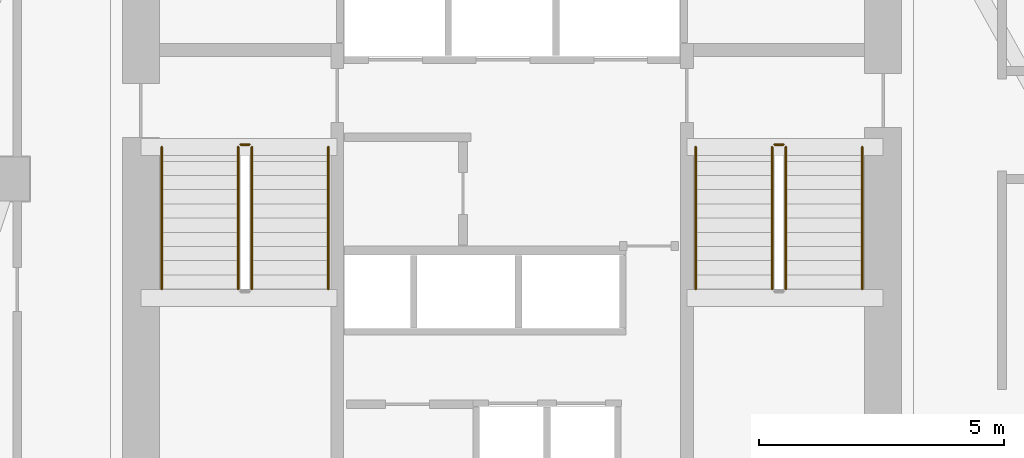
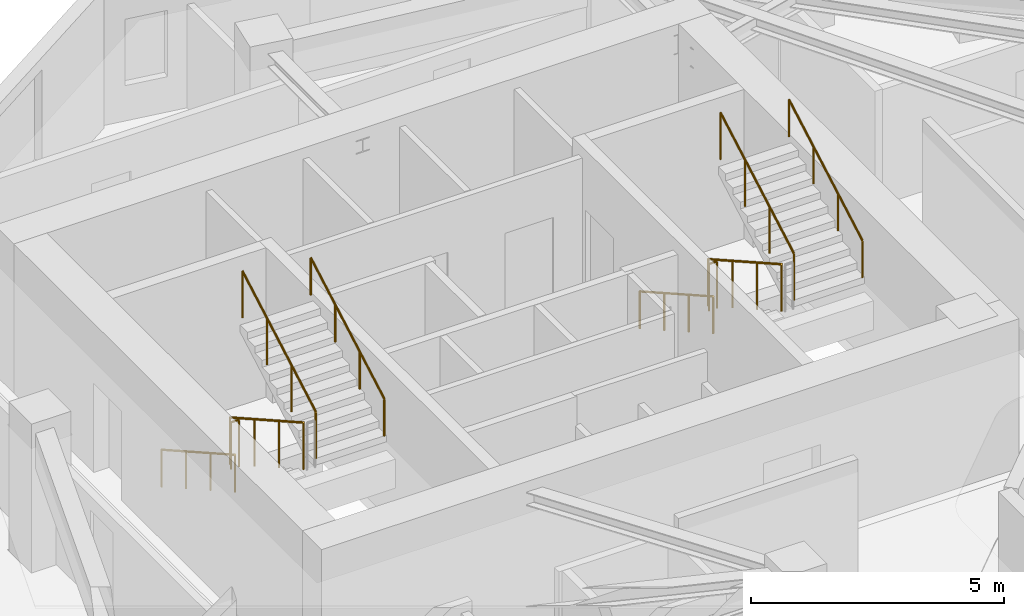
# One storey, part 13 of 14: 10 railings.
"""IFC4 building model written with IfcOpenShell, lengths in metres."""

from ifc_helpers import new_model, si_unit, direction, frame, origin, origin_2d, place, context, subcontext, project, spatial, circle, extrude, material, type_object, element, save


model = new_model("IFC4")

# Units and contexts
model_context = context("Model", 3, precision=1e-05, world=origin(), true_north=direction((0.0, 1.0)))
body_context = subcontext(model_context, "Body", "Model", "MODEL_VIEW")
ifc_project = project(units=[si_unit("LENGTHUNIT", "METRE"), si_unit("AREAUNIT", "SQUARE_METRE"), si_unit("VOLUMEUNIT", "CUBIC_METRE"), si_unit("PLANEANGLEUNIT", "RADIAN"), si_unit("MASSUNIT", "GRAM", prefix="KILO")], contexts=[model_context])

# Site, building, storey
site_placement = place(None, origin())
site = spatial("IfcSite", under=ifc_project, at=site_placement, CompositionType="ELEMENT")
building_placement = place(site_placement, origin())
building = spatial("IfcBuilding", under=site, at=building_placement, Name="Calvemar Wedge Station Tower", CompositionType="ELEMENT")
storey_placement = place(building_placement, frame((0.0, 0.0, 128.60009765625)))
storey = spatial("IfcBuildingStorey", under=building, at=storey_placement, Name="L31", CompositionType="ELEMENT", Elevation=128.60009765625)

# Railings
ifc_material_1 = material(Name="Stainless steel AISI 316L", Category="steel")
railing_type_1 = type_object("IfcRailingType", Name="RL-HANDRAIL-920", PredefinedType="HANDRAIL", material=ifc_material_1)
railing_1_placement = place(storey_placement, frame((16.64990234375, 41.14990234375, 0.16357421875)))
element("IfcRailing", 1, at=railing_1_placement, inside=storey, type_object=railing_type_1, Name="L31 ST-C1 stair handrail 1", PredefinedType="HANDRAIL", context=body_context, shape_type="SweptSolid", body=[
    extrude(circle(Radius=0.02392578125, at=origin_2d()), frame((0.0, 0.0, 0.89599609375), z_axis=(0.0, -0.870928581787, 0.491409610636), x_axis=(1.0, 0.0, 0.0)), (0.0, 0.0, 1.0), 3.32958984375),
    extrude(circle(Radius=0.02099609375, at=origin_2d()), origin(), (0.0, 0.0, 1.0), 0.871826171875),
    extrude(circle(Radius=0.02099609375, at=origin_2d()), frame((0.0, -0.966552734375, 0.54541015625)), (0.0, 0.0, 1.0), 0.871826171875),
    extrude(circle(Radius=0.02099609375, at=origin_2d()), frame((0.0, -1.933349609375, 1.0908203125)), (0.0, 0.0, 1.0), 0.871826171875),
    extrude(circle(Radius=0.02099609375, at=origin_2d()), frame((0.0, -2.89990234375, 1.63623046875)), (0.0, 0.0, 1.0), 0.871826171875),
])
railing_2_placement = place(storey_placement, frame((20.050048828125, 38.25, 1.963623046875)))
element("IfcRailing", 2, at=railing_2_placement, inside=storey, type_object=railing_type_1, Name="L31 ST-C1 stair handrail 2", PredefinedType="HANDRAIL", context=body_context, shape_type="SweptSolid", body=[
    extrude(circle(Radius=0.02392578125, at=origin_2d()), frame((0.0, 0.0, 0.89599609375), z_axis=(0.0, 0.870928581787, 0.491409610636), x_axis=(-1.0, 0.0, 0.0)), (0.0, 0.0, 1.0), 3.32958984375),
    extrude(circle(Radius=0.02099609375, at=origin_2d()), origin(), (0.0, 0.0, 1.0), 0.871826171875),
    extrude(circle(Radius=0.02099609375, at=origin_2d()), frame((0.0, 0.966552734375, 0.54541015625)), (0.0, 0.0, 1.0), 0.871826171875),
    extrude(circle(Radius=0.02099609375, at=origin_2d()), frame((0.0, 1.933349609375, 1.0908203125)), (0.0, 0.0, 1.0), 0.871826171875),
    extrude(circle(Radius=0.02099609375, at=origin_2d()), frame((0.0, 2.89990234375, 1.63623046875)), (0.0, 0.0, 1.0), 0.871826171875),
])
railing_3_placement = place(storey_placement, frame((27.550048828125, 41.14990234375, 0.16357421875)))
element("IfcRailing", 3, at=railing_3_placement, inside=storey, type_object=railing_type_1, Name="L31 ST-C2 stair handrail 1", PredefinedType="HANDRAIL", context=body_context, shape_type="SweptSolid", body=[
    extrude(circle(Radius=0.02392578125, at=origin_2d()), frame((0.0, 0.0, 0.89599609375), z_axis=(0.0, -0.870928581787, 0.491409610636), x_axis=(1.0, 0.0, 0.0)), (0.0, 0.0, 1.0), 3.32958984375),
    extrude(circle(Radius=0.02099609375, at=origin_2d()), origin(), (0.0, 0.0, 1.0), 0.871826171875),
    extrude(circle(Radius=0.02099609375, at=origin_2d()), frame((0.0, -0.966552734375, 0.54541015625)), (0.0, 0.0, 1.0), 0.871826171875),
    extrude(circle(Radius=0.02099609375, at=origin_2d()), frame((0.0, -1.933349609375, 1.0908203125)), (0.0, 0.0, 1.0), 0.871826171875),
    extrude(circle(Radius=0.02099609375, at=origin_2d()), frame((0.0, -2.89990234375, 1.63623046875)), (0.0, 0.0, 1.0), 0.871826171875),
])
railing_4_placement = place(storey_placement, frame((30.949951171875, 38.25, 1.963623046875)))
element("IfcRailing", 4, at=railing_4_placement, inside=storey, type_object=railing_type_1, Name="L31 ST-C2 stair handrail 2", PredefinedType="HANDRAIL", context=body_context, shape_type="SweptSolid", body=[
    extrude(circle(Radius=0.02392578125, at=origin_2d()), frame((0.0, 0.0, 0.89599609375), z_axis=(0.0, 0.870928581787, 0.491409610636), x_axis=(-1.0, 0.0, 0.0)), (0.0, 0.0, 1.0), 3.32958984375),
    extrude(circle(Radius=0.02099609375, at=origin_2d()), origin(), (0.0, 0.0, 1.0), 0.871826171875),
    extrude(circle(Radius=0.02099609375, at=origin_2d()), frame((0.0, 0.966552734375, 0.54541015625)), (0.0, 0.0, 1.0), 0.871826171875),
    extrude(circle(Radius=0.02099609375, at=origin_2d()), frame((0.0, 1.933349609375, 1.0908203125)), (0.0, 0.0, 1.0), 0.871826171875),
    extrude(circle(Radius=0.02099609375, at=origin_2d()), frame((0.0, 2.89990234375, 1.63623046875)), (0.0, 0.0, 1.0), 0.871826171875),
])
ifc_material_2 = material(Name="Painted steel guardrail ASTM A500 Grade C", Category="steel")
railing_type_2 = type_object("IfcRailingType", Name="RL-STAIR-GUARD-1150", PredefinedType="GUARDRAIL", material=ifc_material_2)
railing_5_placement = place(storey_placement, frame((18.2099609375, 41.14990234375, 0.16357421875)))
element("IfcRailing", 5, at=railing_5_placement, inside=storey, type_object=railing_type_2, Name="L31 ST-C1 stair guard 1", PredefinedType="GUARDRAIL", context=body_context, shape_type="SweptSolid", body=[
    extrude(circle(Radius=0.02392578125, at=origin_2d()), frame((0.0, 0.0, 1.1259765625), z_axis=(0.0, -0.870928581787, 0.491409610636), x_axis=(1.0, 0.0, 0.0)), (0.0, 0.0, 1.0), 3.32958984375),
    extrude(circle(Radius=0.02099609375, at=origin_2d()), origin(), (0.0, 0.0, 1.0), 1.101806640625),
    extrude(circle(Radius=0.02099609375, at=origin_2d()), frame((0.0, -0.966552734375, 0.54541015625)), (0.0, 0.0, 1.0), 1.101806640625),
    extrude(circle(Radius=0.02099609375, at=origin_2d()), frame((0.0, -1.933349609375, 1.0908203125)), (0.0, 0.0, 1.0), 1.101806640625),
    extrude(circle(Radius=0.02099609375, at=origin_2d()), frame((0.0, -2.89990234375, 1.63623046875)), (0.0, 0.0, 1.0), 1.101806640625),
])
railing_6_placement = place(storey_placement, frame((18.489990234375, 38.25, 1.963623046875)))
element("IfcRailing", 6, at=railing_6_placement, inside=storey, type_object=railing_type_2, Name="L31 ST-C1 stair guard 3", PredefinedType="GUARDRAIL", context=body_context, shape_type="SweptSolid", body=[
    extrude(circle(Radius=0.02392578125, at=origin_2d()), frame((0.0, 0.0, 1.1259765625), z_axis=(0.0, 0.870928581787, 0.491409610636), x_axis=(-1.0, 0.0, 0.0)), (0.0, 0.0, 1.0), 3.32958984375),
    extrude(circle(Radius=0.02099609375, at=origin_2d()), origin(), (0.0, 0.0, 1.0), 1.101806640625),
    extrude(circle(Radius=0.02099609375, at=origin_2d()), frame((0.0, 0.966552734375, 0.54541015625)), (0.0, 0.0, 1.0), 1.101806640625),
    extrude(circle(Radius=0.02099609375, at=origin_2d()), frame((0.0, 1.933349609375, 1.0908203125)), (0.0, 0.0, 1.0), 1.101806640625),
    extrude(circle(Radius=0.02099609375, at=origin_2d()), frame((0.0, 2.89990234375, 1.63623046875)), (0.0, 0.0, 1.0), 1.101806640625),
])
railing_7_placement = place(storey_placement, frame((18.260009765625, 41.199951171875, 0.0)))
element("IfcRailing", 7, at=railing_7_placement, inside=storey, type_object=railing_type_2, Name="L31 ST-C1 stair guard 4", PredefinedType="GUARDRAIL", context=body_context, shape_type="SweptSolid", body=[
    extrude(circle(Radius=0.02392578125, at=origin_2d()), frame((0.0, 0.0, 1.1259765625), z_axis=(1.0, 0.0, 0.0), x_axis=(0.0, 1.0, 0.0)), (0.0, 0.0, 1.0), 0.179931640625),
    extrude(circle(Radius=0.02099609375, at=origin_2d()), origin(), (0.0, 0.0, 1.0), 1.101806640625),
    extrude(circle(Radius=0.02099609375, at=origin_2d()), frame((0.179931640625, 0.0, 0.0)), (0.0, 0.0, 1.0), 1.101806640625),
])
railing_8_placement = place(storey_placement, frame((29.110107421875, 41.14990234375, 0.16357421875)))
element("IfcRailing", 8, at=railing_8_placement, inside=storey, type_object=railing_type_2, Name="L31 ST-C2 stair guard 1", PredefinedType="GUARDRAIL", context=body_context, shape_type="SweptSolid", body=[
    extrude(circle(Radius=0.02392578125, at=origin_2d()), frame((0.0, 0.0, 1.1259765625), z_axis=(0.0, -0.870928581787, 0.491409610636), x_axis=(1.0, 0.0, 0.0)), (0.0, 0.0, 1.0), 3.32958984375),
    extrude(circle(Radius=0.02099609375, at=origin_2d()), origin(), (0.0, 0.0, 1.0), 1.101806640625),
    extrude(circle(Radius=0.02099609375, at=origin_2d()), frame((0.0, -0.966552734375, 0.54541015625)), (0.0, 0.0, 1.0), 1.101806640625),
    extrude(circle(Radius=0.02099609375, at=origin_2d()), frame((0.0, -1.933349609375, 1.0908203125)), (0.0, 0.0, 1.0), 1.101806640625),
    extrude(circle(Radius=0.02099609375, at=origin_2d()), frame((0.0, -2.89990234375, 1.63623046875)), (0.0, 0.0, 1.0), 1.101806640625),
])
railing_9_placement = place(storey_placement, frame((29.389892578125, 38.25, 1.963623046875)))
element("IfcRailing", 9, at=railing_9_placement, inside=storey, type_object=railing_type_2, Name="L31 ST-C2 stair guard 3", PredefinedType="GUARDRAIL", context=body_context, shape_type="SweptSolid", body=[
    extrude(circle(Radius=0.02392578125, at=origin_2d()), frame((0.0, 0.0, 1.1259765625), z_axis=(0.0, 0.870928581787, 0.491409610636), x_axis=(-1.0, 0.0, 0.0)), (0.0, 0.0, 1.0), 3.32958984375),
    extrude(circle(Radius=0.02099609375, at=origin_2d()), origin(), (0.0, 0.0, 1.0), 1.101806640625),
    extrude(circle(Radius=0.02099609375, at=origin_2d()), frame((0.0, 0.966552734375, 0.54541015625)), (0.0, 0.0, 1.0), 1.101806640625),
    extrude(circle(Radius=0.02099609375, at=origin_2d()), frame((0.0, 1.933349609375, 1.0908203125)), (0.0, 0.0, 1.0), 1.101806640625),
    extrude(circle(Radius=0.02099609375, at=origin_2d()), frame((0.0, 2.89990234375, 1.63623046875)), (0.0, 0.0, 1.0), 1.101806640625),
])
railing_10_placement = place(storey_placement, frame((29.159912109375, 41.199951171875, 0.0)))
element("IfcRailing", 10, at=railing_10_placement, inside=storey, type_object=railing_type_2, Name="L31 ST-C2 stair guard 4", PredefinedType="GUARDRAIL", context=body_context, shape_type="SweptSolid", body=[
    extrude(circle(Radius=0.02392578125, at=origin_2d()), frame((0.0, 0.0, 1.1259765625), z_axis=(1.0, 0.0, 0.0), x_axis=(0.0, 1.0, 0.0)), (0.0, 0.0, 1.0), 0.18017578125),
    extrude(circle(Radius=0.02099609375, at=origin_2d()), origin(), (0.0, 0.0, 1.0), 1.101806640625),
    extrude(circle(Radius=0.02099609375, at=origin_2d()), frame((0.18017578125, 0.0, 0.0)), (0.0, 0.0, 1.0), 1.101806640625),
])

save(model, "model.ifc")
